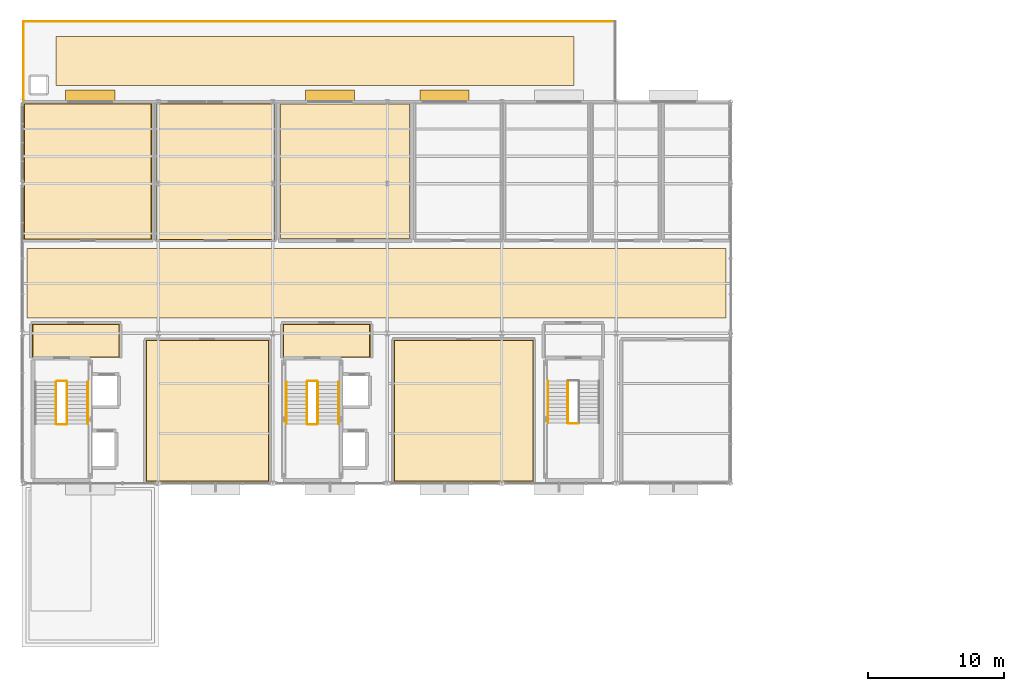
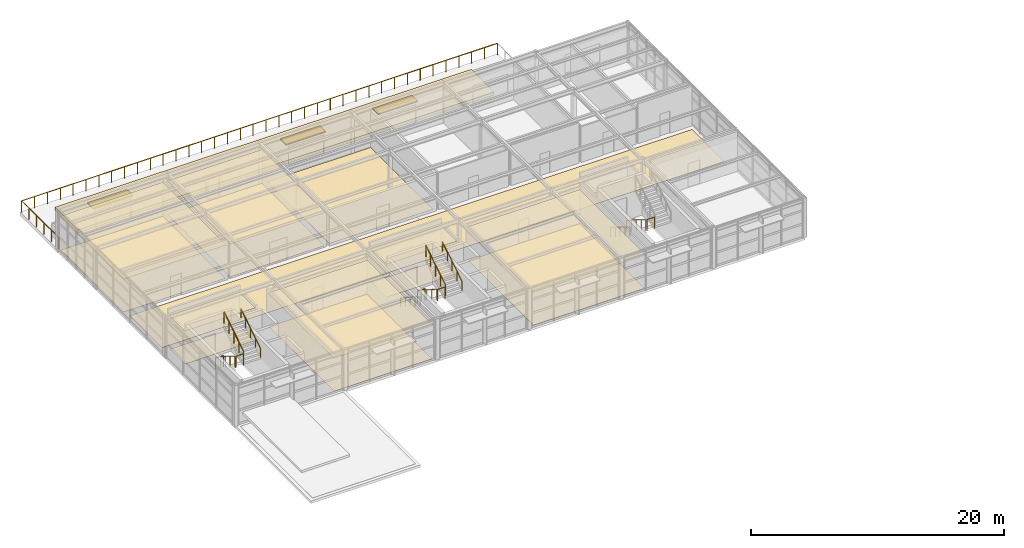
# One storey, part 20 of 21: 16 railings, 15 coverings, 3 shading devices.
"""IFC4 building model written with IfcOpenShell, lengths in metres."""

from ifc_helpers import new_model, si_unit, direction, frame, origin, origin_2d, place, context, subcontext, project, spatial, polyline, rectangle, circle, outline, extrude, material, layer, layer_set, type_object, element, save


model = new_model("IFC4")

# Units and contexts
model_context = context("Model", 3, precision=1e-05, world=origin(), true_north=direction((0.0, 1.0)))
body_context = subcontext(model_context, "Body", "Model", "MODEL_VIEW")
ifc_project = project(units=[si_unit("LENGTHUNIT", "METRE"), si_unit("AREAUNIT", "SQUARE_METRE"), si_unit("VOLUMEUNIT", "CUBIC_METRE"), si_unit("PLANEANGLEUNIT", "RADIAN"), si_unit("MASSUNIT", "GRAM", prefix="KILO")], contexts=[model_context])

# Site, building, storey
site_placement = place(None, origin())
site = spatial("IfcSite", under=ifc_project, at=site_placement, CompositionType="ELEMENT")
building_placement = place(site_placement, origin())
building = spatial("IfcBuilding", under=site, at=building_placement, Name="Sitalva Quay Ferry Terminal", CompositionType="ELEMENT")
storey_placement = place(building_placement, frame((0.0, 0.0, 14.39990234375)))
storey = spatial("IfcBuildingStorey", under=building, at=storey_placement, Name="L04", CompositionType="ELEMENT", Elevation=14.39990234375)

# Coverings
ifc_material_1 = material(Name="Perforated Marine Aluminium Acoustic Ceiling", Category="aluminium")
ifc_layer_1 = layer(ifc_material_1, 0.0400390625)
ifc_layer_set_1 = layer_set([ifc_layer_1], Name="Perforated Marine Aluminium Acoustic Ceiling")
covering_type_1 = type_object("IfcCoveringType", Name="Ceiling_AcousticBaffle_40", PredefinedType="CEILING", material=ifc_layer_set_1)
covering_1_placement = place(storey_placement, frame((0.0, 0.0, 3.210205078125)))
element("IfcCovering", 1, at=covering_1_placement, inside=storey, type_object=covering_type_1, Name="Buriganga River Pilotage Dispatch Centre ceiling", PredefinedType="CEILING", context=body_context, shape_type="SweptSolid", body=[
    extrude(outline(polyline([(83.074951171875, 78.1201171875), (92.125, 78.1201171875), (92.125, 88.52490234375), (83.074951171875, 88.52490234375), (83.074951171875, 78.1201171875)])), origin(), (0.0, 0.0, 1.0), 0.039794921875),
])
covering_2_placement = place(storey_placement, frame((0.0, 0.0, 3.210205078125)))
element("IfcCovering", 2, at=covering_2_placement, inside=storey, type_object=covering_type_1, Name="Monsoon Meteorology & Flood Forecasting Lab ceiling", PredefinedType="CEILING", context=body_context, shape_type="SweptSolid", body=[
    extrude(outline(polyline([(101.267578125, 78.1201171875), (111.532470703125, 78.1201171875), (111.532470703125, 88.532470703125), (101.267578125, 88.532470703125), (101.267578125, 78.1201171875)])), origin(), (0.0, 0.0, 1.0), 0.039794921875),
])
covering_3_placement = place(storey_placement, frame((0.0, 0.0, 3.210205078125)))
element("IfcCovering", 3, at=covering_3_placement, inside=storey, type_object=covering_type_1, Name="River Pilots Briefing & Garden Lounge ceiling", PredefinedType="CEILING", context=body_context, shape_type="SweptSolid", body=[
    extrude(outline(polyline([(83.85009765625, 95.85009765625), (92.550048828125, 95.85009765625), (92.550048828125, 105.8798828125), (83.85009765625, 105.8798828125), (83.85009765625, 95.85009765625)])), origin(), (0.0, 0.0, 1.0), 0.039794921875),
])
covering_4_placement = place(storey_placement, frame((0.0, 0.0, 3.210205078125)))
element("IfcCovering", 4, at=covering_4_placement, inside=storey, type_object=covering_type_1, Name="Duty Watch Dormitory & Quiet Cabins ceiling", PredefinedType="CEILING", context=body_context, shape_type="SweptSolid", body=[
    extrude(outline(polyline([(74.1201171875, 95.882568359375), (83.517578125, 95.882568359375), (83.517578125, 105.8798828125), (74.1201171875, 105.8798828125), (74.1201171875, 95.882568359375)])), origin(), (0.0, 0.0, 1.0), 0.039794921875),
])
ifc_material_2 = material(Name="Moisture-Resistant Acoustic Gypsum Ceiling", Category="gypsum")
ifc_layer_2 = layer(ifc_material_2, 0.02490234375)
ifc_layer_set_2 = layer_set([ifc_layer_2], Name="Moisture-Resistant Acoustic Gypsum Ceiling")
covering_type_2 = type_object("IfcCoveringType", Name="Ceiling_GypsumMoisture_25", PredefinedType="CEILING", material=ifc_layer_set_2)
covering_5_placement = place(storey_placement, frame((0.0, 0.0, 3.22509765625)))
element("IfcCovering", 5, at=covering_5_placement, inside=storey, type_object=covering_type_2, Name="Firefighting & Lift Lobby C1 ceiling", PredefinedType="CEILING", context=body_context, shape_type="SweptSolid", body=[
    extrude(outline(polyline([(74.739990234375, 87.239990234375), (81.159912109375, 87.239990234375), (81.159912109375, 89.7099609375), (74.739990234375, 89.7099609375), (74.739990234375, 87.239990234375)])), origin(), (0.0, 0.0, 1.0), 0.02490234375),
])
covering_6_placement = place(storey_placement, frame((0.0, 0.0, 3.22509765625)))
element("IfcCovering", 6, at=covering_6_placement, inside=storey, type_object=covering_type_2, Name="Firefighting & Lift Lobby C2 ceiling", PredefinedType="CEILING", context=body_context, shape_type="SweptSolid", body=[
    extrude(outline(polyline([(93.139892578125, 87.239990234375), (99.56005859375, 87.239990234375), (99.56005859375, 89.7099609375), (93.139892578125, 89.7099609375), (93.139892578125, 87.239990234375)])), origin(), (0.0, 0.0, 1.0), 0.02490234375),
])
ifc_material_3 = material(Name="Planted Roof Garden Soil & Native Monsoon Flora", Category="earth")
ifc_layer_3 = layer(ifc_material_3, 0.300048828125)
ifc_layer_set_3 = layer_set([ifc_layer_3], Name="Planted Roof Garden Soil & Native Monsoon Flora")
covering_type_3 = type_object("IfcCoveringType", Name="Covering_PlantedParterre_300", PredefinedType="FLOORING", material=ifc_layer_set_3)
covering_7_placement = place(storey_placement, origin())
element("IfcCovering", 7, at=covering_7_placement, inside=storey, type_object=covering_type_3, Name="Planted terrace garden bed 16", PredefinedType="FLOORING", context=body_context, shape_type="SweptSolid", body=[
    extrude(outline(polyline([(76.5, 107.199951171875), (114.5, 107.199951171875), (114.5, 110.800048828125), (76.5, 110.800048828125), (76.5, 107.199951171875)])), origin(), (0.0, 0.0, 1.0), 0.300048828125),
])
ifc_material_4 = material(Name="Heavy-Duty Acoustic Resilient Flooring", Category="polymer")
ifc_layer_4 = layer(ifc_material_4, 0.014892578125)
ifc_layer_set_4 = layer_set([ifc_layer_4], Name="Heavy-Duty Acoustic Resilient Flooring")
covering_type_4 = type_object("IfcCoveringType", Name="Finish_AcousticVinyl_15", PredefinedType="FLOORING", material=ifc_layer_set_4)
covering_8_placement = place(storey_placement, origin())
element("IfcCovering", 8, at=covering_8_placement, inside=storey, type_object=covering_type_4, Name="Buriganga River Pilotage Dispatch Centre floor finish", PredefinedType="FLOORING", context=body_context, shape_type="SweptSolid", body=[
    extrude(outline(polyline([(83.125, 78.169921875), (92.074951171875, 78.169921875), (92.074951171875, 88.47509765625), (83.125, 88.47509765625), (83.125, 78.169921875)])), origin(), (0.0, 0.0, 1.0), 0.01513671875),
])
covering_9_placement = place(storey_placement, origin())
element("IfcCovering", 9, at=covering_9_placement, inside=storey, type_object=covering_type_4, Name="Monsoon Meteorology & Flood Forecasting Lab floor finish", PredefinedType="FLOORING", context=body_context, shape_type="SweptSolid", body=[
    extrude(outline(polyline([(101.3173828125, 78.169921875), (111.482421875, 78.169921875), (111.482421875, 88.482421875), (101.3173828125, 88.482421875), (101.3173828125, 78.169921875)])), origin(), (0.0, 0.0, 1.0), 0.01513671875),
])
covering_10_placement = place(storey_placement, origin())
element("IfcCovering", 10, at=covering_10_placement, inside=storey, type_object=covering_type_4, Name="Duty Watch Dormitory & Quiet Cabins floor finish", PredefinedType="FLOORING", context=body_context, shape_type="SweptSolid", body=[
    extrude(outline(polyline([(74.169921875, 95.9326171875), (83.467529296875, 95.9326171875), (83.467529296875, 105.830078125), (74.169921875, 105.830078125), (74.169921875, 95.9326171875)])), origin(), (0.0, 0.0, 1.0), 0.01513671875),
])
ifc_material_5 = material(Name="Chemical-Resistant Epoxy Screed", Category="polymer")
ifc_layer_5 = layer(ifc_material_5, 0.011962890625)
ifc_layer_set_5 = layer_set([ifc_layer_5], Name="Chemical-Resistant Epoxy Screed")
covering_type_5 = type_object("IfcCoveringType", Name="Finish_EpoxyPlant_12", PredefinedType="FLOORING", material=ifc_layer_set_5)
covering_11_placement = place(storey_placement, origin())
element("IfcCovering", 11, at=covering_11_placement, inside=storey, type_object=covering_type_5, Name="VHF/AIS Marine Radar Server Room floor finish", PredefinedType="FLOORING", context=body_context, shape_type="SweptSolid", body=[
    extrude(outline(polyline([(92.969970703125, 95.969970703125), (102.429931640625, 95.969970703125), (102.429931640625, 105.830078125), (92.969970703125, 105.830078125), (92.969970703125, 95.969970703125)])), origin(), (0.0, 0.0, 1.0), 0.01220703125),
])
ifc_material_6 = material(Name="Flamed Non-Slip Granite Paving", Category="masonry")
ifc_layer_6 = layer(ifc_material_6, 0.034912109375)
ifc_layer_set_6 = layer_set([ifc_layer_6], Name="Flamed Non-Slip Granite Paving")
covering_type_6 = type_object("IfcCoveringType", Name="Finish_Granite_35", PredefinedType="FLOORING", material=ifc_layer_set_6)
covering_12_placement = place(storey_placement, origin())
element("IfcCovering", 12, at=covering_12_placement, inside=storey, type_object=covering_type_6, Name="Firefighting & Lift Lobby C1 floor finish", PredefinedType="FLOORING", context=body_context, shape_type="SweptSolid", body=[
    extrude(outline(polyline([(74.7900390625, 87.2900390625), (81.110107421875, 87.2900390625), (81.110107421875, 89.659912109375), (74.7900390625, 89.659912109375), (74.7900390625, 87.2900390625)])), origin(), (0.0, 0.0, 1.0), 0.03515625),
])
covering_13_placement = place(storey_placement, origin())
element("IfcCovering", 13, at=covering_13_placement, inside=storey, type_object=covering_type_6, Name="Firefighting & Lift Lobby C2 floor finish", PredefinedType="FLOORING", context=body_context, shape_type="SweptSolid", body=[
    extrude(outline(polyline([(93.18994140625, 87.2900390625), (99.510009765625, 87.2900390625), (99.510009765625, 89.659912109375), (93.18994140625, 89.659912109375), (93.18994140625, 87.2900390625)])), origin(), (0.0, 0.0, 1.0), 0.03515625),
])
covering_14_placement = place(storey_placement, origin())
element("IfcCovering", 14, at=covering_14_placement, inside=storey, type_object=covering_type_6, Name="L04 Pilotage & Communications Corridor flooring", PredefinedType="FLOORING", context=body_context, shape_type="SweptSolid", body=[
    extrude(outline(polyline([(74.35009765625, 90.14990234375), (125.64990234375, 90.14990234375), (125.64990234375, 95.25), (74.35009765625, 95.25), (74.35009765625, 90.14990234375)])), origin(), (0.0, 0.0, 1.0), 0.03515625),
])
ifc_material_7 = material(Name="Polished River-Stone Terrazzo", Category="masonry")
ifc_layer_7 = layer(ifc_material_7, 0.030029296875)
ifc_layer_set_7 = layer_set([ifc_layer_7], Name="Polished River-Stone Terrazzo")
covering_type_7 = type_object("IfcCoveringType", Name="Finish_Terrazzo_30", PredefinedType="FLOORING", material=ifc_layer_set_7)
covering_15_placement = place(storey_placement, origin())
element("IfcCovering", 15, at=covering_15_placement, inside=storey, type_object=covering_type_7, Name="River Pilots Briefing & Garden Lounge floor finish", PredefinedType="FLOORING", context=body_context, shape_type="SweptSolid", body=[
    extrude(outline(polyline([(83.89990234375, 95.89990234375), (92.5, 95.89990234375), (92.5, 105.830078125), (83.89990234375, 105.830078125), (83.89990234375, 95.89990234375)])), origin(), (0.0, 0.0, 1.0), 0.030029296875),
])

# Railings
ifc_material_8 = material(Name="Stainless Steel 316L & Laminated Glass", Category="steel")
railing_type_1 = type_object("IfcRailingType", Name="Railing_Balustrade_1120", PredefinedType="BALUSTRADE", material=ifc_material_8)
railing_1_placement = place(storey_placement, frame((74.10009765625, 106.050048828125, 0.0)))
element("IfcRailing", 16, at=railing_1_placement, inside=storey, type_object=railing_type_1, Name="L04 L04 north roof garden balustrade 042", PredefinedType="BALUSTRADE", context=body_context, shape_type="SweptSolid", body=[
    extrude(circle(Radius=0.02392578125, at=origin_2d()), frame((0.0, 0.0, 1.09619140625), z_axis=(0.0, 1.0, 0.0), x_axis=(-1.0, 0.0, 0.0)), (0.0, 0.0, 1.0), 5.849853515625),
    extrude(circle(Radius=0.02099609375, at=origin_2d()), origin(), (0.0, 0.0, 1.0), 1.072021484375),
    extrude(circle(Radius=0.02099609375, at=origin_2d()), frame((0.0, 1.169921875, 0.0)), (0.0, 0.0, 1.0), 1.072021484375),
    extrude(circle(Radius=0.02099609375, at=origin_2d()), frame((0.0, 2.33984375, 0.0)), (0.0, 0.0, 1.0), 1.072021484375),
    extrude(circle(Radius=0.02099609375, at=origin_2d()), frame((0.0, 3.510009765625, 0.0)), (0.0, 0.0, 1.0), 1.072021484375),
    extrude(circle(Radius=0.02099609375, at=origin_2d()), frame((0.0, 4.679931640625, 0.0)), (0.0, 0.0, 1.0), 1.072021484375),
    extrude(circle(Radius=0.02099609375, at=origin_2d()), frame((0.0, 5.849853515625, 0.0)), (0.0, 0.0, 1.0), 1.072021484375),
])
railing_2_placement = place(storey_placement, frame((74.10009765625, 111.89990234375, 0.0)))
element("IfcRailing", 17, at=railing_2_placement, inside=storey, type_object=railing_type_1, Name="L04 L04 north roof garden balustrade 043", PredefinedType="BALUSTRADE", context=body_context, shape_type="SweptSolid", body=[
    extrude(circle(Radius=0.02392578125, at=origin_2d()), frame((0.0, 0.0, 1.09619140625), z_axis=(1.0, 0.0, 0.0), x_axis=(0.0, 1.0, 0.0)), (0.0, 0.0, 1.0), 43.39990234375),
    extrude(circle(Radius=0.02099609375, at=origin_2d()), origin(), (0.0, 0.0, 1.0), 1.072021484375),
    extrude(circle(Radius=0.02099609375, at=origin_2d()), frame((1.1728515625, 0.0, 0.0)), (0.0, 0.0, 1.0), 1.072021484375),
    extrude(circle(Radius=0.02099609375, at=origin_2d()), frame((2.345947265625, 0.0, 0.0)), (0.0, 0.0, 1.0), 1.072021484375),
    extrude(circle(Radius=0.02099609375, at=origin_2d()), frame((3.518798828125, 0.0, 0.0)), (0.0, 0.0, 1.0), 1.072021484375),
    extrude(circle(Radius=0.02099609375, at=origin_2d()), frame((4.69189453125, 0.0, 0.0)), (0.0, 0.0, 1.0), 1.072021484375),
    extrude(circle(Radius=0.02099609375, at=origin_2d()), frame((5.86474609375, 0.0, 0.0)), (0.0, 0.0, 1.0), 1.072021484375),
    extrude(circle(Radius=0.02099609375, at=origin_2d()), frame((7.037841796875, 0.0, 0.0)), (0.0, 0.0, 1.0), 1.072021484375),
    extrude(circle(Radius=0.02099609375, at=origin_2d()), frame((8.210693359375, 0.0, 0.0)), (0.0, 0.0, 1.0), 1.072021484375),
    extrude(circle(Radius=0.02099609375, at=origin_2d()), frame((9.3837890625, 0.0, 0.0)), (0.0, 0.0, 1.0), 1.072021484375),
    extrude(circle(Radius=0.02099609375, at=origin_2d()), frame((10.556640625, 0.0, 0.0)), (0.0, 0.0, 1.0), 1.072021484375),
    extrude(circle(Radius=0.02099609375, at=origin_2d()), frame((11.729736328125, 0.0, 0.0)), (0.0, 0.0, 1.0), 1.072021484375),
    extrude(circle(Radius=0.02099609375, at=origin_2d()), frame((12.902587890625, 0.0, 0.0)), (0.0, 0.0, 1.0), 1.072021484375),
    extrude(circle(Radius=0.02099609375, at=origin_2d()), frame((14.07568359375, 0.0, 0.0)), (0.0, 0.0, 1.0), 1.072021484375),
    extrude(circle(Radius=0.02099609375, at=origin_2d()), frame((15.24853515625, 0.0, 0.0)), (0.0, 0.0, 1.0), 1.072021484375),
    extrude(circle(Radius=0.02099609375, at=origin_2d()), frame((16.421630859375, 0.0, 0.0)), (0.0, 0.0, 1.0), 1.072021484375),
    extrude(circle(Radius=0.02099609375, at=origin_2d()), frame((17.594482421875, 0.0, 0.0)), (0.0, 0.0, 1.0), 1.072021484375),
    extrude(circle(Radius=0.02099609375, at=origin_2d()), frame((18.767578125, 0.0, 0.0)), (0.0, 0.0, 1.0), 1.072021484375),
    extrude(circle(Radius=0.02099609375, at=origin_2d()), frame((19.9404296875, 0.0, 0.0)), (0.0, 0.0, 1.0), 1.072021484375),
    extrude(circle(Radius=0.02099609375, at=origin_2d()), frame((21.113525390625, 0.0, 0.0)), (0.0, 0.0, 1.0), 1.072021484375),
    extrude(circle(Radius=0.02099609375, at=origin_2d()), frame((22.286376953125, 0.0, 0.0)), (0.0, 0.0, 1.0), 1.072021484375),
    extrude(circle(Radius=0.02099609375, at=origin_2d()), frame((23.45947265625, 0.0, 0.0)), (0.0, 0.0, 1.0), 1.072021484375),
    extrude(circle(Radius=0.02099609375, at=origin_2d()), frame((24.63232421875, 0.0, 0.0)), (0.0, 0.0, 1.0), 1.072021484375),
    extrude(circle(Radius=0.02099609375, at=origin_2d()), frame((25.805419921875, 0.0, 0.0)), (0.0, 0.0, 1.0), 1.072021484375),
    extrude(circle(Radius=0.02099609375, at=origin_2d()), frame((26.978271484375, 0.0, 0.0)), (0.0, 0.0, 1.0), 1.072021484375),
    extrude(circle(Radius=0.02099609375, at=origin_2d()), frame((28.1513671875, 0.0, 0.0)), (0.0, 0.0, 1.0), 1.072021484375),
    extrude(circle(Radius=0.02099609375, at=origin_2d()), frame((29.32421875, 0.0, 0.0)), (0.0, 0.0, 1.0), 1.072021484375),
    extrude(circle(Radius=0.02099609375, at=origin_2d()), frame((30.497314453125, 0.0, 0.0)), (0.0, 0.0, 1.0), 1.072021484375),
    extrude(circle(Radius=0.02099609375, at=origin_2d()), frame((31.670166015625, 0.0, 0.0)), (0.0, 0.0, 1.0), 1.072021484375),
    extrude(circle(Radius=0.02099609375, at=origin_2d()), frame((32.84326171875, 0.0, 0.0)), (0.0, 0.0, 1.0), 1.072021484375),
    extrude(circle(Radius=0.02099609375, at=origin_2d()), frame((34.01611328125, 0.0, 0.0)), (0.0, 0.0, 1.0), 1.072021484375),
    extrude(circle(Radius=0.02099609375, at=origin_2d()), frame((35.189208984375, 0.0, 0.0)), (0.0, 0.0, 1.0), 1.072021484375),
    extrude(circle(Radius=0.02099609375, at=origin_2d()), frame((36.362060546875, 0.0, 0.0)), (0.0, 0.0, 1.0), 1.072021484375),
    extrude(circle(Radius=0.02099609375, at=origin_2d()), frame((37.53515625, 0.0, 0.0)), (0.0, 0.0, 1.0), 1.072021484375),
    extrude(circle(Radius=0.02099609375, at=origin_2d()), frame((38.7080078125, 0.0, 0.0)), (0.0, 0.0, 1.0), 1.072021484375),
    extrude(circle(Radius=0.02099609375, at=origin_2d()), frame((39.881103515625, 0.0, 0.0)), (0.0, 0.0, 1.0), 1.072021484375),
    extrude(circle(Radius=0.02099609375, at=origin_2d()), frame((41.053955078125, 0.0, 0.0)), (0.0, 0.0, 1.0), 1.072021484375),
    extrude(circle(Radius=0.02099609375, at=origin_2d()), frame((42.22705078125, 0.0, 0.0)), (0.0, 0.0, 1.0), 1.072021484375),
    extrude(circle(Radius=0.02099609375, at=origin_2d()), frame((43.39990234375, 0.0, 0.0)), (0.0, 0.0, 1.0), 1.072021484375),
])
ifc_material_9 = material(Name="Galvanised Steel S275JR", Category="steel")
railing_type_2 = type_object("IfcRailingType", Name="Railing_Guard_1100", PredefinedType="GUARDRAIL", material=ifc_material_9)
railing_3_placement = place(storey_placement, frame((76.5, 85.449951171875, 0.175048828125)))
element("IfcRailing", 18, at=railing_3_placement, inside=storey, type_object=railing_type_2, Name="L04 ST-01 stair guard 1", PredefinedType="GUARDRAIL", context=body_context, shape_type="SweptSolid", body=[
    extrude(circle(Radius=0.02392578125, at=origin_2d()), frame((0.0, 0.0, 1.076171875), z_axis=(0.0, -0.847979421464, 0.530029150871), x_axis=(1.0, 0.0, 0.0)), (0.0, 0.0, 1.0), 3.632080078125),
    extrude(circle(Radius=0.02099609375, at=origin_2d()), origin(), (0.0, 0.0, 1.0), 1.052001953125),
    extrude(circle(Radius=0.02099609375, at=origin_2d()), frame((0.0, -0.77001953125, 0.481201171875)), (0.0, 0.0, 1.0), 1.052001953125),
    extrude(circle(Radius=0.02099609375, at=origin_2d()), frame((0.0, -1.5400390625, 0.96240234375)), (0.0, 0.0, 1.0), 1.052001953125),
    extrude(circle(Radius=0.02099609375, at=origin_2d()), frame((0.0, -2.309814453125, 1.44384765625)), (0.0, 0.0, 1.0), 1.052001953125),
    extrude(circle(Radius=0.02099609375, at=origin_2d()), frame((0.0, -3.079833984375, 1.925048828125)), (0.0, 0.0, 1.0), 1.052001953125),
])
railing_4_placement = place(storey_placement, frame((76.550048828125, 82.320068359375, 2.10009765625)))
element("IfcRailing", 19, at=railing_4_placement, inside=storey, type_object=railing_type_2, Name="L04 ST-01 stair guard 2", PredefinedType="GUARDRAIL", context=body_context, shape_type="SweptSolid", body=[
    extrude(circle(Radius=0.02392578125, at=origin_2d()), frame((0.0, 0.0, 1.076171875), z_axis=(1.0, 0.0, 0.0), x_axis=(0.0, 1.0, 0.0)), (0.0, 0.0, 1.0), 0.699951171875),
    extrude(circle(Radius=0.02099609375, at=origin_2d()), origin(), (0.0, 0.0, 1.0), 1.052001953125),
    extrude(circle(Radius=0.02099609375, at=origin_2d()), frame((0.699951171875, 0.0, 0.0)), (0.0, 0.0, 1.0), 1.052001953125),
])
railing_5_placement = place(storey_placement, frame((77.300048828125, 82.3701171875, 2.275146484375)))
element("IfcRailing", 20, at=railing_5_placement, inside=storey, type_object=railing_type_2, Name="L04 ST-01 stair guard 3", PredefinedType="GUARDRAIL", context=body_context, shape_type="SweptSolid", body=[
    extrude(circle(Radius=0.02392578125, at=origin_2d()), frame((0.0, 0.0, 1.076171875), z_axis=(0.0, 0.847979421464, 0.530029150871), x_axis=(-1.0, 0.0, 0.0)), (0.0, 0.0, 1.0), 3.632080078125),
    extrude(circle(Radius=0.02099609375, at=origin_2d()), origin(), (0.0, 0.0, 1.0), 1.052001953125),
    extrude(circle(Radius=0.02099609375, at=origin_2d()), frame((0.0, 0.77001953125, 0.481201171875)), (0.0, 0.0, 1.0), 1.052001953125),
    extrude(circle(Radius=0.02099609375, at=origin_2d()), frame((0.0, 1.5400390625, 0.96240234375)), (0.0, 0.0, 1.0), 1.052001953125),
    extrude(circle(Radius=0.02099609375, at=origin_2d()), frame((0.0, 2.309814453125, 1.44384765625)), (0.0, 0.0, 1.0), 1.052001953125),
    extrude(circle(Radius=0.02099609375, at=origin_2d()), frame((0.0, 3.079833984375, 1.925048828125)), (0.0, 0.0, 1.0), 1.052001953125),
])
railing_6_placement = place(storey_placement, frame((76.550048828125, 85.5, 0.0)))
element("IfcRailing", 21, at=railing_6_placement, inside=storey, type_object=railing_type_2, Name="L04 ST-01 stair guard 4", PredefinedType="GUARDRAIL", context=body_context, shape_type="SweptSolid", body=[
    extrude(circle(Radius=0.02392578125, at=origin_2d()), frame((0.0, 0.0, 1.076171875), z_axis=(1.0, 0.0, 0.0), x_axis=(0.0, 1.0, 0.0)), (0.0, 0.0, 1.0), 0.699951171875),
    extrude(circle(Radius=0.02099609375, at=origin_2d()), origin(), (0.0, 0.0, 1.0), 1.052001953125),
    extrude(circle(Radius=0.02099609375, at=origin_2d()), frame((0.699951171875, 0.0, 0.0)), (0.0, 0.0, 1.0), 1.052001953125),
])
railing_7_placement = place(storey_placement, frame((94.89990234375, 85.449951171875, 0.175048828125)))
element("IfcRailing", 22, at=railing_7_placement, inside=storey, type_object=railing_type_2, Name="L04 ST-02 stair guard 1", PredefinedType="GUARDRAIL", context=body_context, shape_type="SweptSolid", body=[
    extrude(circle(Radius=0.02392578125, at=origin_2d()), frame((0.0, 0.0, 1.076171875), z_axis=(0.0, -0.847979421464, 0.530029150871), x_axis=(1.0, 0.0, 0.0)), (0.0, 0.0, 1.0), 3.632080078125),
    extrude(circle(Radius=0.02099609375, at=origin_2d()), origin(), (0.0, 0.0, 1.0), 1.052001953125),
    extrude(circle(Radius=0.02099609375, at=origin_2d()), frame((0.0, -0.77001953125, 0.481201171875)), (0.0, 0.0, 1.0), 1.052001953125),
    extrude(circle(Radius=0.02099609375, at=origin_2d()), frame((0.0, -1.5400390625, 0.96240234375)), (0.0, 0.0, 1.0), 1.052001953125),
    extrude(circle(Radius=0.02099609375, at=origin_2d()), frame((0.0, -2.309814453125, 1.44384765625)), (0.0, 0.0, 1.0), 1.052001953125),
    extrude(circle(Radius=0.02099609375, at=origin_2d()), frame((0.0, -3.079833984375, 1.925048828125)), (0.0, 0.0, 1.0), 1.052001953125),
])
railing_8_placement = place(storey_placement, frame((94.949951171875, 82.320068359375, 2.10009765625)))
element("IfcRailing", 23, at=railing_8_placement, inside=storey, type_object=railing_type_2, Name="L04 ST-02 stair guard 2", PredefinedType="GUARDRAIL", context=body_context, shape_type="SweptSolid", body=[
    extrude(circle(Radius=0.02392578125, at=origin_2d()), frame((0.0, 0.0, 1.076171875), z_axis=(1.0, 0.0, 0.0), x_axis=(0.0, 1.0, 0.0)), (0.0, 0.0, 1.0), 0.699951171875),
    extrude(circle(Radius=0.02099609375, at=origin_2d()), origin(), (0.0, 0.0, 1.0), 1.052001953125),
    extrude(circle(Radius=0.02099609375, at=origin_2d()), frame((0.699951171875, 0.0, 0.0)), (0.0, 0.0, 1.0), 1.052001953125),
])
railing_9_placement = place(storey_placement, frame((95.699951171875, 82.3701171875, 2.275146484375)))
element("IfcRailing", 24, at=railing_9_placement, inside=storey, type_object=railing_type_2, Name="L04 ST-02 stair guard 3", PredefinedType="GUARDRAIL", context=body_context, shape_type="SweptSolid", body=[
    extrude(circle(Radius=0.02392578125, at=origin_2d()), frame((0.0, 0.0, 1.076171875), z_axis=(0.0, 0.847979421464, 0.530029150871), x_axis=(-1.0, 0.0, 0.0)), (0.0, 0.0, 1.0), 3.632080078125),
    extrude(circle(Radius=0.02099609375, at=origin_2d()), origin(), (0.0, 0.0, 1.0), 1.052001953125),
    extrude(circle(Radius=0.02099609375, at=origin_2d()), frame((0.0, 0.77001953125, 0.481201171875)), (0.0, 0.0, 1.0), 1.052001953125),
    extrude(circle(Radius=0.02099609375, at=origin_2d()), frame((0.0, 1.5400390625, 0.96240234375)), (0.0, 0.0, 1.0), 1.052001953125),
    extrude(circle(Radius=0.02099609375, at=origin_2d()), frame((0.0, 2.309814453125, 1.44384765625)), (0.0, 0.0, 1.0), 1.052001953125),
    extrude(circle(Radius=0.02099609375, at=origin_2d()), frame((0.0, 3.079833984375, 1.925048828125)), (0.0, 0.0, 1.0), 1.052001953125),
])
railing_10_placement = place(storey_placement, frame((94.949951171875, 85.5, 0.0)))
element("IfcRailing", 25, at=railing_10_placement, inside=storey, type_object=railing_type_2, Name="L04 ST-02 stair guard 4", PredefinedType="GUARDRAIL", context=body_context, shape_type="SweptSolid", body=[
    extrude(circle(Radius=0.02392578125, at=origin_2d()), frame((0.0, 0.0, 1.076171875), z_axis=(1.0, 0.0, 0.0), x_axis=(0.0, 1.0, 0.0)), (0.0, 0.0, 1.0), 0.699951171875),
    extrude(circle(Radius=0.02099609375, at=origin_2d()), origin(), (0.0, 0.0, 1.0), 1.052001953125),
    extrude(circle(Radius=0.02099609375, at=origin_2d()), frame((0.699951171875, 0.0, 0.0)), (0.0, 0.0, 1.0), 1.052001953125),
])
railing_11_placement = place(storey_placement, frame((114.0400390625, 85.510009765625, 0.175048828125)))
element("IfcRailing", 26, at=railing_11_placement, inside=storey, type_object=railing_type_2, Name="L04 ST-04 stair guard 1", PredefinedType="GUARDRAIL", context=body_context, shape_type="SweptSolid", body=[
    extrude(circle(Radius=0.02392578125, at=origin_2d()), frame((0.0, 0.0, 1.076171875), z_axis=(0.0, -0.847998304005, 0.529998940003), x_axis=(1.0, 0.0, 0.0)), (0.0, 0.0, 1.0), 3.632080078125),
    extrude(circle(Radius=0.02099609375, at=origin_2d()), origin(), (0.0, 0.0, 1.0), 1.052001953125),
    extrude(circle(Radius=0.02099609375, at=origin_2d()), frame((0.0, -0.77001953125, 0.481201171875)), (0.0, 0.0, 1.0), 1.052001953125),
    extrude(circle(Radius=0.02099609375, at=origin_2d()), frame((0.0, -1.5400390625, 0.96240234375)), (0.0, 0.0, 1.0), 1.052001953125),
    extrude(circle(Radius=0.02099609375, at=origin_2d()), frame((0.0, -2.31005859375, 1.44384765625)), (0.0, 0.0, 1.0), 1.052001953125),
    extrude(circle(Radius=0.02099609375, at=origin_2d()), frame((0.0, -3.080078125, 1.925048828125)), (0.0, 0.0, 1.0), 1.052001953125),
])
railing_12_placement = place(storey_placement, frame((114.090087890625, 82.3798828125, 2.10009765625)))
element("IfcRailing", 27, at=railing_12_placement, inside=storey, type_object=railing_type_2, Name="L04 ST-04 stair guard 2", PredefinedType="GUARDRAIL", context=body_context, shape_type="SweptSolid", body=[
    extrude(circle(Radius=0.02392578125, at=origin_2d()), frame((0.0, 0.0, 1.076171875), z_axis=(1.0, 0.0, 0.0), x_axis=(0.0, 1.0, 0.0)), (0.0, 0.0, 1.0), 0.719970703125),
    extrude(circle(Radius=0.02099609375, at=origin_2d()), origin(), (0.0, 0.0, 1.0), 1.052001953125),
    extrude(circle(Radius=0.02099609375, at=origin_2d()), frame((0.719970703125, 0.0, 0.0)), (0.0, 0.0, 1.0), 1.052001953125),
])
ifc_material_10 = material(Name="Stainless Steel 316L", Category="steel")
railing_type_3 = type_object("IfcRailingType", Name="Railing_Handrail_900", PredefinedType="HANDRAIL", material=ifc_material_10)
railing_13_placement = place(storey_placement, frame((78.820068359375, 82.3701171875, 2.275146484375)))
element("IfcRailing", 28, at=railing_13_placement, inside=storey, type_object=railing_type_3, Name="L04 ST-01 stair handrail 2", PredefinedType="HANDRAIL", context=body_context, shape_type="SweptSolid", body=[
    extrude(circle(Radius=0.02392578125, at=origin_2d()), frame((0.0, 0.0, 0.8759765625), z_axis=(0.0, 0.847979421464, 0.530029150871), x_axis=(-1.0, 0.0, 0.0)), (0.0, 0.0, 1.0), 3.632080078125),
    extrude(circle(Radius=0.02099609375, at=origin_2d()), origin(), (0.0, 0.0, 1.0), 0.851806640625),
    extrude(circle(Radius=0.02099609375, at=origin_2d()), frame((0.0, 0.77001953125, 0.481201171875)), (0.0, 0.0, 1.0), 0.851806640625),
    extrude(circle(Radius=0.02099609375, at=origin_2d()), frame((0.0, 1.5400390625, 0.96240234375)), (0.0, 0.0, 1.0), 0.851806640625),
    extrude(circle(Radius=0.02099609375, at=origin_2d()), frame((0.0, 2.309814453125, 1.44384765625)), (0.0, 0.0, 1.0), 0.851806640625),
    extrude(circle(Radius=0.02099609375, at=origin_2d()), frame((0.0, 3.079833984375, 1.925048828125)), (0.0, 0.0, 1.0), 0.851806640625),
])
railing_14_placement = place(storey_placement, frame((93.3798828125, 85.449951171875, 0.175048828125)))
element("IfcRailing", 29, at=railing_14_placement, inside=storey, type_object=railing_type_3, Name="L04 ST-02 stair handrail 1", PredefinedType="HANDRAIL", context=body_context, shape_type="SweptSolid", body=[
    extrude(circle(Radius=0.02392578125, at=origin_2d()), frame((0.0, 0.0, 0.8759765625), z_axis=(0.0, -0.847979421464, 0.530029150871), x_axis=(1.0, 0.0, 0.0)), (0.0, 0.0, 1.0), 3.632080078125),
    extrude(circle(Radius=0.02099609375, at=origin_2d()), origin(), (0.0, 0.0, 1.0), 0.851806640625),
    extrude(circle(Radius=0.02099609375, at=origin_2d()), frame((0.0, -0.77001953125, 0.481201171875)), (0.0, 0.0, 1.0), 0.851806640625),
    extrude(circle(Radius=0.02099609375, at=origin_2d()), frame((0.0, -1.5400390625, 0.96240234375)), (0.0, 0.0, 1.0), 0.851806640625),
    extrude(circle(Radius=0.02099609375, at=origin_2d()), frame((0.0, -2.309814453125, 1.44384765625)), (0.0, 0.0, 1.0), 0.851806640625),
    extrude(circle(Radius=0.02099609375, at=origin_2d()), frame((0.0, -3.079833984375, 1.925048828125)), (0.0, 0.0, 1.0), 0.851806640625),
])
railing_15_placement = place(storey_placement, frame((97.219970703125, 82.3701171875, 2.275146484375)))
element("IfcRailing", 30, at=railing_15_placement, inside=storey, type_object=railing_type_3, Name="L04 ST-02 stair handrail 2", PredefinedType="HANDRAIL", context=body_context, shape_type="SweptSolid", body=[
    extrude(circle(Radius=0.02392578125, at=origin_2d()), frame((0.0, 0.0, 0.8759765625), z_axis=(0.0, 0.847979421464, 0.530029150871), x_axis=(-1.0, 0.0, 0.0)), (0.0, 0.0, 1.0), 3.632080078125),
    extrude(circle(Radius=0.02099609375, at=origin_2d()), origin(), (0.0, 0.0, 1.0), 0.851806640625),
    extrude(circle(Radius=0.02099609375, at=origin_2d()), frame((0.0, 0.77001953125, 0.481201171875)), (0.0, 0.0, 1.0), 0.851806640625),
    extrude(circle(Radius=0.02099609375, at=origin_2d()), frame((0.0, 1.5400390625, 0.96240234375)), (0.0, 0.0, 1.0), 0.851806640625),
    extrude(circle(Radius=0.02099609375, at=origin_2d()), frame((0.0, 2.309814453125, 1.44384765625)), (0.0, 0.0, 1.0), 0.851806640625),
    extrude(circle(Radius=0.02099609375, at=origin_2d()), frame((0.0, 3.079833984375, 1.925048828125)), (0.0, 0.0, 1.0), 0.851806640625),
])
railing_16_placement = place(storey_placement, frame((112.580078125, 85.510009765625, 0.175048828125)))
element("IfcRailing", 31, at=railing_16_placement, inside=storey, type_object=railing_type_3, Name="L04 ST-04 stair handrail 1", PredefinedType="HANDRAIL", context=body_context, shape_type="SweptSolid", body=[
    extrude(circle(Radius=0.02392578125, at=origin_2d()), frame((0.0, 0.0, 0.8759765625), z_axis=(0.0, -0.847998304005, 0.529998940003), x_axis=(1.0, 0.0, 0.0)), (0.0, 0.0, 1.0), 3.632080078125),
    extrude(circle(Radius=0.02099609375, at=origin_2d()), origin(), (0.0, 0.0, 1.0), 0.851806640625),
    extrude(circle(Radius=0.02099609375, at=origin_2d()), frame((0.0, -0.77001953125, 0.481201171875)), (0.0, 0.0, 1.0), 0.851806640625),
    extrude(circle(Radius=0.02099609375, at=origin_2d()), frame((0.0, -1.5400390625, 0.96240234375)), (0.0, 0.0, 1.0), 0.851806640625),
    extrude(circle(Radius=0.02099609375, at=origin_2d()), frame((0.0, -2.31005859375, 1.44384765625)), (0.0, 0.0, 1.0), 0.851806640625),
    extrude(circle(Radius=0.02099609375, at=origin_2d()), frame((0.0, -3.080078125, 1.925048828125)), (0.0, 0.0, 1.0), 0.851806640625),
])

# Shading devices
ifc_material_11 = material(Name="Anodised Marine Aluminium 6063-T6", Category="aluminium")
shading_device_type = type_object("IfcShadingDeviceType", Name="Shade_HorizontalLouvre_900", PredefinedType="USERDEFINED", material=ifc_material_11)
for number, where, z_axis, x_axis, name in (
    (32, (79.0, 106.419921875, 2.8076171875), (0.0, 0.0, 1.0), (1.0, 0.0, 0.0), "Monsoon sunshade canopy BS-103"),
    (33, (96.60009765625, 106.419921875, 2.8076171875), (0.0, 0.0, 1.0), (1.0, 0.0, 0.0), "Monsoon sunshade canopy BS-108"),
    (34, (105.0, 106.419921875, 2.8076171875), (0.0, 0.0, 1.0), (1.0, 0.0, 0.0), "Monsoon sunshade canopy BS-111"),
):
    element("IfcShadingDevice", number, at=place(storey_placement, frame(where, z_axis=z_axis, x_axis=x_axis)), inside=storey, type_object=shading_device_type, Name=name, ObjectType="SUNSHADE", PredefinedType="USERDEFINED", context=body_context, shape_type="SweptSolid", body=[
        extrude(rectangle(XDim=3.60009765625, YDim=0.89990234375, at=origin_2d()), origin(), (0.0, 0.0, 1.0), 0.0849609375),
    ])

save(model, "model.ifc")
